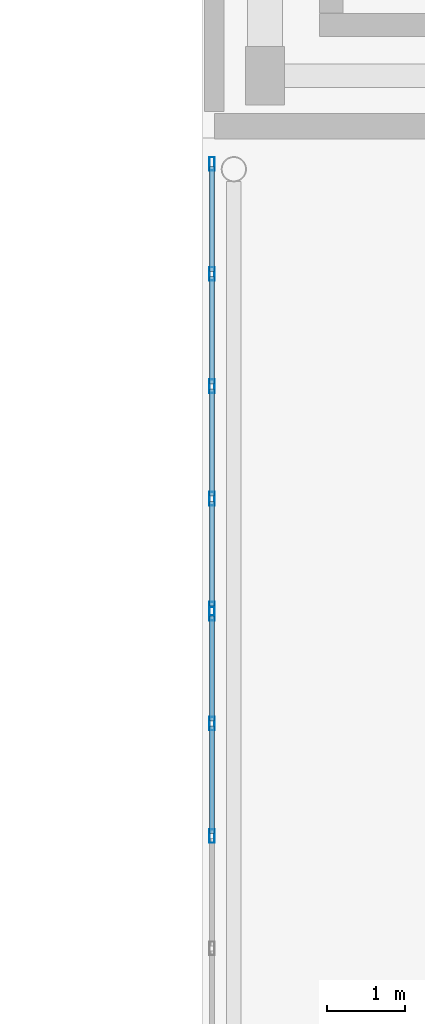
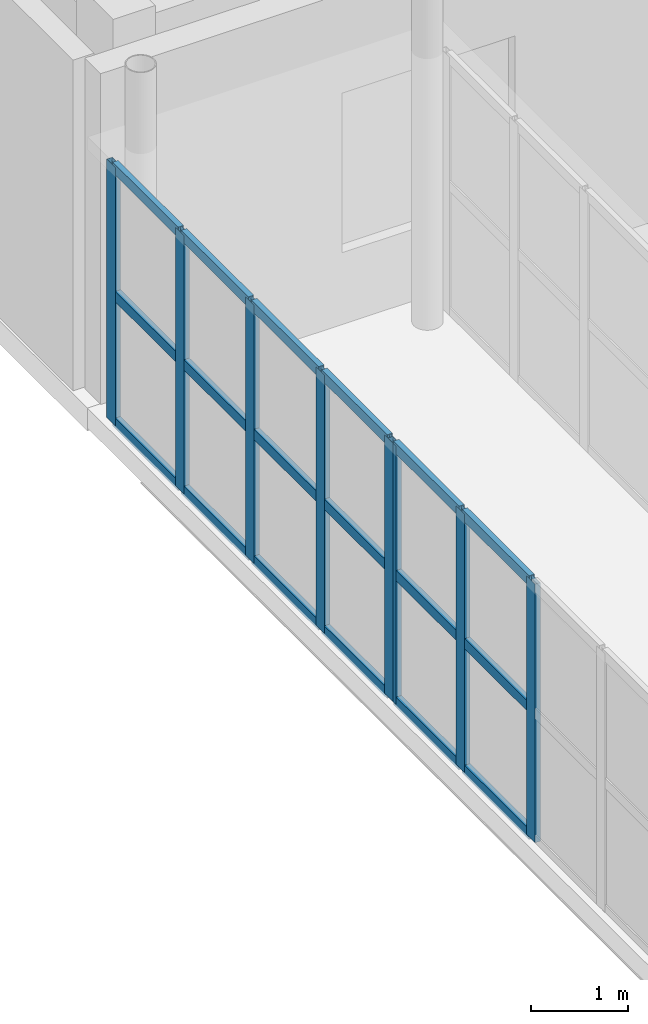
# One storey, part 64 of 142: 26 members, 2 elements without a shape of their own.
"""IFC4 building model written with IfcOpenShell, lengths in metres."""

from ifc_helpers import new_model, si_unit, direction, frame, origin, origin_2d, place, context, subcontext, project, spatial, hollow_rectangle, extrude, material, layer, layer_set, material_profile, profile_set, type_object, element, aggregate, save


model = new_model("IFC4")

# Units and contexts
model_context = context("Model", 3, precision=1e-05, world=origin(), true_north=direction((0.0, 1.0)))
body_context = subcontext(model_context, "Body", "Model", "MODEL_VIEW")
ifc_project = project(units=[si_unit("LENGTHUNIT", "METRE"), si_unit("AREAUNIT", "SQUARE_METRE"), si_unit("VOLUMEUNIT", "CUBIC_METRE"), si_unit("PLANEANGLEUNIT", "RADIAN"), si_unit("MASSUNIT", "GRAM", prefix="KILO")], contexts=[model_context])

# Site, building, storey
site_placement = place(None, origin())
site = spatial("IfcSite", under=ifc_project, at=site_placement, CompositionType="ELEMENT")
building_placement = place(site_placement, origin())
building = spatial("IfcBuilding", under=site, at=building_placement, Name="Valcora Specialist Clinic", CompositionType="ELEMENT")
storey_placement = place(building_placement, frame((0.0, 0.0, 5.10009765625)))
storey = spatial("IfcBuildingStorey", under=building, at=storey_placement, Name="L01", CompositionType="ELEMENT", Elevation=5.10009765625)

# Curtain wall, members
ifc_material = material(Name="Anodized Bronze Aluminium 6063-T6", Category="aluminium")
ifc_layer = layer(ifc_material, 0.175048828125)
ifc_layer_set = layer_set([ifc_layer], Name="Anodized Bronze Aluminium 6063-T6")
curtain_wall_type = type_object("IfcCurtainWallType", Name="TY-CW-BRG14", PredefinedType="NOTDEFINED", material=ifc_layer_set)
curtain_wall_1_placement = place(storey_placement, origin())
curtain_wall_1 = element("IfcCurtainWall", 1, at=curtain_wall_1_placement, inside=storey, type_object=curtain_wall_type, Name="Curtain wall CW-L01-238", PredefinedType="NOTDEFINED")
ifc_material_profile_1 = material_profile(ifc_material, hollow_rectangle(XDim=0.06494140625, YDim=0.175048828125, WallThickness=0.00390625, at=origin_2d()), Name="AL-MUL-65X175")
ifc_profile_set_1 = profile_set([ifc_material_profile_1], Name="Anodized Bronze Aluminium 6063-T6")
member_type_1 = type_object("IfcMemberType", Name="TY-CWM-65X175", PredefinedType="MULLION", material=ifc_profile_set_1)
member_1_placement = place(storey_placement, frame((61.320068359375, 65.050048828125, 0.0), z_axis=(0.0, 0.0, 1.0), x_axis=(-1.0, 0.0, 0.0)))
member_1 = element("IfcMember", 2, at=member_1_placement, type_object=member_type_1, Name="CW-BRG-14 mullion 3", PredefinedType="MULLION", context=body_context, shape_type="SweptSolid", body=[
    extrude(hollow_rectangle(XDim=0.06494140625, YDim=0.175048828125, WallThickness=0.00390625, at=origin_2d()), origin(), (0.0, 0.0, 1.0), 3.239990234375),
])
member_2_placement = place(storey_placement, frame((61.320068359375, 66.49169921875, 0.0), z_axis=(0.0, 0.0, 1.0), x_axis=(-1.0, 0.0, 0.0)))
member_2 = element("IfcMember", 3, at=member_2_placement, type_object=member_type_1, Name="CW-BRG-14 mullion 4", PredefinedType="MULLION", context=body_context, shape_type="SweptSolid", body=[
    extrude(hollow_rectangle(XDim=0.06494140625, YDim=0.175048828125, WallThickness=0.00390625, at=origin_2d()), origin(), (0.0, 0.0, 1.0), 3.239990234375),
])
member_3_placement = place(storey_placement, frame((61.320068359375, 67.90087890625, 0.0), z_axis=(0.0, 0.0, 1.0), x_axis=(-1.0, 0.0, 0.0)))
member_3 = element("IfcMember", 4, at=member_3_placement, type_object=member_type_1, Name="CW-BRG-14 mullion 5", PredefinedType="MULLION", context=body_context, shape_type="SweptSolid", body=[
    extrude(hollow_rectangle(XDim=0.06494140625, YDim=0.175048828125, WallThickness=0.00390625, at=origin_2d()), origin(), (0.0, 0.0, 1.0), 3.239990234375),
])

curtain_wall_2_placement = place(storey_placement, origin())
curtain_wall_2 = element("IfcCurtainWall", 5, at=curtain_wall_2_placement, inside=storey, type_object=curtain_wall_type, Name="Curtain wall CW-L01-239", PredefinedType="NOTDEFINED")
member_4_placement = place(storey_placement, frame((61.320068359375, 67.9658203125, 0.0), z_axis=(0.0, 0.0, 1.0), x_axis=(-1.0, 0.0, 0.0)))
member_4 = element("IfcMember", 6, at=member_4_placement, type_object=member_type_1, Name="CW-BRG-14 mullion 1", PredefinedType="MULLION", context=body_context, shape_type="SweptSolid", body=[
    extrude(hollow_rectangle(XDim=0.06494140625, YDim=0.175048828125, WallThickness=0.00390625, at=origin_2d()), origin(), (0.0, 0.0, 1.0), 3.239990234375),
])
member_5_placement = place(storey_placement, frame((61.320068359375, 69.375, 0.0), z_axis=(0.0, 0.0, 1.0), x_axis=(-1.0, 0.0, 0.0)))
member_5 = element("IfcMember", 7, at=member_5_placement, type_object=member_type_1, Name="CW-BRG-14 mullion 2", PredefinedType="MULLION", context=body_context, shape_type="SweptSolid", body=[
    extrude(hollow_rectangle(XDim=0.06494140625, YDim=0.175048828125, WallThickness=0.00390625, at=origin_2d()), origin(), (0.0, 0.0, 1.0), 3.239990234375),
])
member_6_placement = place(storey_placement, frame((61.320068359375, 70.816650390625, 0.0), z_axis=(0.0, 0.0, 1.0), x_axis=(-1.0, 0.0, 0.0)))
member_6 = element("IfcMember", 8, at=member_6_placement, type_object=member_type_1, Name="CW-BRG-14 mullion 3", PredefinedType="MULLION", context=body_context, shape_type="SweptSolid", body=[
    extrude(hollow_rectangle(XDim=0.06494140625, YDim=0.175048828125, WallThickness=0.00390625, at=origin_2d()), origin(), (0.0, 0.0, 1.0), 3.239990234375),
])
member_7_placement = place(storey_placement, frame((61.320068359375, 72.25830078125, 0.0), z_axis=(0.0, 0.0, 1.0), x_axis=(-1.0, 0.0, 0.0)))
member_7 = element("IfcMember", 9, at=member_7_placement, type_object=member_type_1, Name="CW-BRG-14 mullion 4", PredefinedType="MULLION", context=body_context, shape_type="SweptSolid", body=[
    extrude(hollow_rectangle(XDim=0.06494140625, YDim=0.175048828125, WallThickness=0.00390625, at=origin_2d()), origin(), (0.0, 0.0, 1.0), 3.239990234375),
])
member_8_placement = place(storey_placement, frame((61.320068359375, 73.66748046875, 0.0), z_axis=(0.0, 0.0, 1.0), x_axis=(-1.0, 0.0, 0.0)))
member_8 = element("IfcMember", 10, at=member_8_placement, type_object=member_type_1, Name="CW-BRG-14 mullion 5", PredefinedType="MULLION", context=body_context, shape_type="SweptSolid", body=[
    extrude(hollow_rectangle(XDim=0.06494140625, YDim=0.175048828125, WallThickness=0.00390625, at=origin_2d()), origin(), (0.0, 0.0, 1.0), 3.239990234375),
])

# Member
ifc_material_profile_2 = material_profile(ifc_material, hollow_rectangle(XDim=0.06494140625, YDim=0.1298828125, WallThickness=0.00390625, at=origin_2d()), Name="AL-TRN-65X130")
ifc_profile_set_2 = profile_set([ifc_material_profile_2], Name="Anodized Bronze Aluminium 6063-T6")
member_type_2 = type_object("IfcMemberType", Name="TY-CWT-65X130", PredefinedType="USERDEFINED", material=ifc_profile_set_2)
member_9_placement = place(storey_placement, frame((61.320068359375, 65.08251953125, 0.032470703125), z_axis=(0.0, 1.0, 0.0), x_axis=(-1.0, 0.0, 0.0)))
member_9 = element("IfcMember", 11, at=member_9_placement, type_object=member_type_2, Name="CW-BRG-14 transom 3.1", ObjectType="TRANSOM", PredefinedType="USERDEFINED", context=body_context, shape_type="SweptSolid", body=[
    extrude(hollow_rectangle(XDim=0.06494140625, YDim=0.1298828125, WallThickness=0.00390625, at=origin_2d()), origin(), (0.0, 0.0, 1.0), 1.376708984375),
])

member_10_placement = place(storey_placement, frame((61.320068359375, 65.08251953125, 1.619873046875), z_axis=(0.0, 1.0, 0.0), x_axis=(-1.0, 0.0, 0.0)))
member_10 = element("IfcMember", 12, at=member_10_placement, type_object=member_type_2, Name="CW-BRG-14 transom 3.2", ObjectType="TRANSOM", PredefinedType="USERDEFINED", context=body_context, shape_type="SweptSolid", body=[
    extrude(hollow_rectangle(XDim=0.06494140625, YDim=0.1298828125, WallThickness=0.00390625, at=origin_2d()), origin(), (0.0, 0.0, 1.0), 1.376708984375),
])

member_11_placement = place(storey_placement, frame((61.320068359375, 65.08251953125, 3.20751953125), z_axis=(0.0, 1.0, 0.0), x_axis=(-1.0, 0.0, 0.0)))
member_11 = element("IfcMember", 13, at=member_11_placement, type_object=member_type_2, Name="CW-BRG-14 transom 3.3", ObjectType="TRANSOM", PredefinedType="USERDEFINED", context=body_context, shape_type="SweptSolid", body=[
    extrude(hollow_rectangle(XDim=0.06494140625, YDim=0.1298828125, WallThickness=0.00390625, at=origin_2d()), origin(), (0.0, 0.0, 1.0), 1.376708984375),
])

member_12_placement = place(storey_placement, frame((61.320068359375, 66.524169921875, 0.032470703125), z_axis=(0.0, 1.0, 0.0), x_axis=(-1.0, 0.0, 0.0)))
member_12 = element("IfcMember", 14, at=member_12_placement, type_object=member_type_2, Name="CW-BRG-14 transom 4.1", ObjectType="TRANSOM", PredefinedType="USERDEFINED", context=body_context, shape_type="SweptSolid", body=[
    extrude(hollow_rectangle(XDim=0.06494140625, YDim=0.1298828125, WallThickness=0.00390625, at=origin_2d()), origin(), (0.0, 0.0, 1.0), 1.34423828125),
])

member_13_placement = place(storey_placement, frame((61.320068359375, 66.524169921875, 1.619873046875), z_axis=(0.0, 1.0, 0.0), x_axis=(-1.0, 0.0, 0.0)))
member_13 = element("IfcMember", 15, at=member_13_placement, type_object=member_type_2, Name="CW-BRG-14 transom 4.2", ObjectType="TRANSOM", PredefinedType="USERDEFINED", context=body_context, shape_type="SweptSolid", body=[
    extrude(hollow_rectangle(XDim=0.06494140625, YDim=0.1298828125, WallThickness=0.00390625, at=origin_2d()), origin(), (0.0, 0.0, 1.0), 1.34423828125),
])

member_14_placement = place(storey_placement, frame((61.320068359375, 66.524169921875, 3.20751953125), z_axis=(0.0, 1.0, 0.0), x_axis=(-1.0, 0.0, 0.0)))
member_14 = element("IfcMember", 16, at=member_14_placement, type_object=member_type_2, Name="CW-BRG-14 transom 4.3", ObjectType="TRANSOM", PredefinedType="USERDEFINED", context=body_context, shape_type="SweptSolid", body=[
    extrude(hollow_rectangle(XDim=0.06494140625, YDim=0.1298828125, WallThickness=0.00390625, at=origin_2d()), origin(), (0.0, 0.0, 1.0), 1.34423828125),
])

aggregate(curtain_wall_1, [member_1, member_2, member_3, member_9, member_10, member_11, member_12, member_13, member_14])

member_15_placement = place(storey_placement, frame((61.320068359375, 67.998291015625, 0.032470703125), z_axis=(0.0, 1.0, 0.0), x_axis=(-1.0, 0.0, 0.0)))
member_15 = element("IfcMember", 17, at=member_15_placement, type_object=member_type_2, Name="CW-BRG-14 transom 1.1", ObjectType="TRANSOM", PredefinedType="USERDEFINED", context=body_context, shape_type="SweptSolid", body=[
    extrude(hollow_rectangle(XDim=0.06494140625, YDim=0.1298828125, WallThickness=0.00390625, at=origin_2d()), origin(), (0.0, 0.0, 1.0), 1.34423828125),
])

member_16_placement = place(storey_placement, frame((61.320068359375, 67.998291015625, 1.619873046875), z_axis=(0.0, 1.0, 0.0), x_axis=(-1.0, 0.0, 0.0)))
member_16 = element("IfcMember", 18, at=member_16_placement, type_object=member_type_2, Name="CW-BRG-14 transom 1.2", ObjectType="TRANSOM", PredefinedType="USERDEFINED", context=body_context, shape_type="SweptSolid", body=[
    extrude(hollow_rectangle(XDim=0.06494140625, YDim=0.1298828125, WallThickness=0.00390625, at=origin_2d()), origin(), (0.0, 0.0, 1.0), 1.34423828125),
])

member_17_placement = place(storey_placement, frame((61.320068359375, 67.998291015625, 3.20751953125), z_axis=(0.0, 1.0, 0.0), x_axis=(-1.0, 0.0, 0.0)))
member_17 = element("IfcMember", 19, at=member_17_placement, type_object=member_type_2, Name="CW-BRG-14 transom 1.3", ObjectType="TRANSOM", PredefinedType="USERDEFINED", context=body_context, shape_type="SweptSolid", body=[
    extrude(hollow_rectangle(XDim=0.06494140625, YDim=0.1298828125, WallThickness=0.00390625, at=origin_2d()), origin(), (0.0, 0.0, 1.0), 1.34423828125),
])

member_18_placement = place(storey_placement, frame((61.320068359375, 69.407470703125, 0.032470703125), z_axis=(0.0, 1.0, 0.0), x_axis=(-1.0, 0.0, 0.0)))
member_18 = element("IfcMember", 20, at=member_18_placement, type_object=member_type_2, Name="CW-BRG-14 transom 2.1", ObjectType="TRANSOM", PredefinedType="USERDEFINED", context=body_context, shape_type="SweptSolid", body=[
    extrude(hollow_rectangle(XDim=0.06494140625, YDim=0.1298828125, WallThickness=0.00390625, at=origin_2d()), origin(), (0.0, 0.0, 1.0), 1.376708984375),
])

member_19_placement = place(storey_placement, frame((61.320068359375, 69.407470703125, 1.619873046875), z_axis=(0.0, 1.0, 0.0), x_axis=(-1.0, 0.0, 0.0)))
member_19 = element("IfcMember", 21, at=member_19_placement, type_object=member_type_2, Name="CW-BRG-14 transom 2.2", ObjectType="TRANSOM", PredefinedType="USERDEFINED", context=body_context, shape_type="SweptSolid", body=[
    extrude(hollow_rectangle(XDim=0.06494140625, YDim=0.1298828125, WallThickness=0.00390625, at=origin_2d()), origin(), (0.0, 0.0, 1.0), 1.376708984375),
])

member_20_placement = place(storey_placement, frame((61.320068359375, 69.407470703125, 3.20751953125), z_axis=(0.0, 1.0, 0.0), x_axis=(-1.0, 0.0, 0.0)))
member_20 = element("IfcMember", 22, at=member_20_placement, type_object=member_type_2, Name="CW-BRG-14 transom 2.3", ObjectType="TRANSOM", PredefinedType="USERDEFINED", context=body_context, shape_type="SweptSolid", body=[
    extrude(hollow_rectangle(XDim=0.06494140625, YDim=0.1298828125, WallThickness=0.00390625, at=origin_2d()), origin(), (0.0, 0.0, 1.0), 1.376708984375),
])

member_21_placement = place(storey_placement, frame((61.320068359375, 70.84912109375, 0.032470703125), z_axis=(0.0, 1.0, 0.0), x_axis=(-1.0, 0.0, 0.0)))
member_21 = element("IfcMember", 23, at=member_21_placement, type_object=member_type_2, Name="CW-BRG-14 transom 3.1", ObjectType="TRANSOM", PredefinedType="USERDEFINED", context=body_context, shape_type="SweptSolid", body=[
    extrude(hollow_rectangle(XDim=0.06494140625, YDim=0.1298828125, WallThickness=0.00390625, at=origin_2d()), origin(), (0.0, 0.0, 1.0), 1.376708984375),
])

member_22_placement = place(storey_placement, frame((61.320068359375, 70.84912109375, 1.619873046875), z_axis=(0.0, 1.0, 0.0), x_axis=(-1.0, 0.0, 0.0)))
member_22 = element("IfcMember", 24, at=member_22_placement, type_object=member_type_2, Name="CW-BRG-14 transom 3.2", ObjectType="TRANSOM", PredefinedType="USERDEFINED", context=body_context, shape_type="SweptSolid", body=[
    extrude(hollow_rectangle(XDim=0.06494140625, YDim=0.1298828125, WallThickness=0.00390625, at=origin_2d()), origin(), (0.0, 0.0, 1.0), 1.376708984375),
])

member_23_placement = place(storey_placement, frame((61.320068359375, 70.84912109375, 3.20751953125), z_axis=(0.0, 1.0, 0.0), x_axis=(-1.0, 0.0, 0.0)))
member_23 = element("IfcMember", 25, at=member_23_placement, type_object=member_type_2, Name="CW-BRG-14 transom 3.3", ObjectType="TRANSOM", PredefinedType="USERDEFINED", context=body_context, shape_type="SweptSolid", body=[
    extrude(hollow_rectangle(XDim=0.06494140625, YDim=0.1298828125, WallThickness=0.00390625, at=origin_2d()), origin(), (0.0, 0.0, 1.0), 1.376708984375),
])

member_24_placement = place(storey_placement, frame((61.320068359375, 72.290771484375, 0.032470703125), z_axis=(0.0, 1.0, 0.0), x_axis=(-1.0, 0.0, 0.0)))
member_24 = element("IfcMember", 26, at=member_24_placement, type_object=member_type_2, Name="CW-BRG-14 transom 4.1", ObjectType="TRANSOM", PredefinedType="USERDEFINED", context=body_context, shape_type="SweptSolid", body=[
    extrude(hollow_rectangle(XDim=0.06494140625, YDim=0.1298828125, WallThickness=0.00390625, at=origin_2d()), origin(), (0.0, 0.0, 1.0), 1.34423828125),
])

member_25_placement = place(storey_placement, frame((61.320068359375, 72.290771484375, 1.619873046875), z_axis=(0.0, 1.0, 0.0), x_axis=(-1.0, 0.0, 0.0)))
member_25 = element("IfcMember", 27, at=member_25_placement, type_object=member_type_2, Name="CW-BRG-14 transom 4.2", ObjectType="TRANSOM", PredefinedType="USERDEFINED", context=body_context, shape_type="SweptSolid", body=[
    extrude(hollow_rectangle(XDim=0.06494140625, YDim=0.1298828125, WallThickness=0.00390625, at=origin_2d()), origin(), (0.0, 0.0, 1.0), 1.34423828125),
])

member_26_placement = place(storey_placement, frame((61.320068359375, 72.290771484375, 3.20751953125), z_axis=(0.0, 1.0, 0.0), x_axis=(-1.0, 0.0, 0.0)))
member_26 = element("IfcMember", 28, at=member_26_placement, type_object=member_type_2, Name="CW-BRG-14 transom 4.3", ObjectType="TRANSOM", PredefinedType="USERDEFINED", context=body_context, shape_type="SweptSolid", body=[
    extrude(hollow_rectangle(XDim=0.06494140625, YDim=0.1298828125, WallThickness=0.00390625, at=origin_2d()), origin(), (0.0, 0.0, 1.0), 1.34423828125),
])

aggregate(curtain_wall_2, [member_4, member_5, member_6, member_7, member_8, member_15, member_16, member_17, member_18, member_19, member_20, member_21, member_22, member_23, member_24, member_25, member_26])

save(model, "model.ifc")
